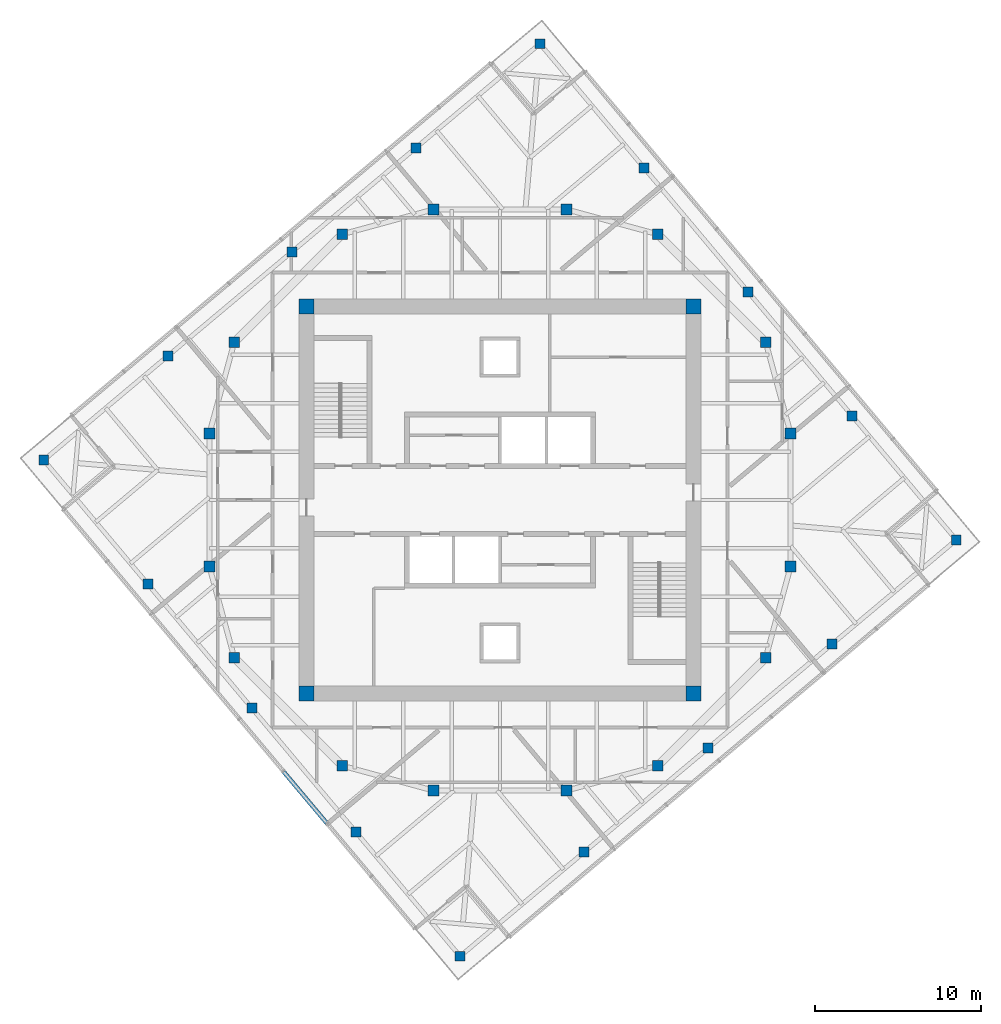
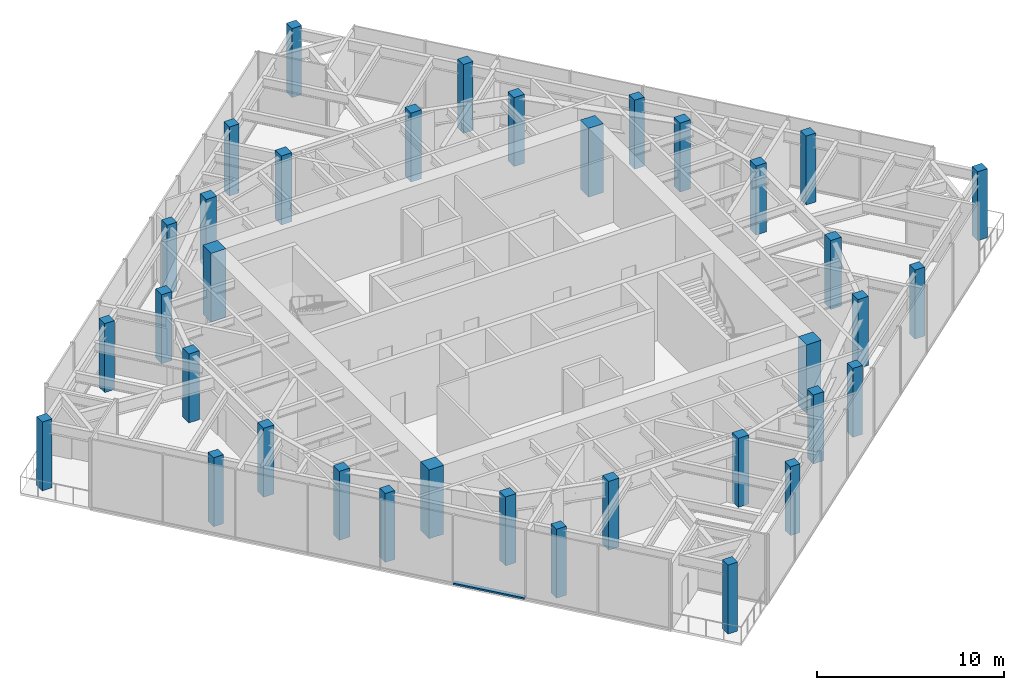
# One storey, part 1 of 11: 36 columns, 1 member, 1 element without a shape of its own.
"""IFC4 building model written with IfcOpenShell, lengths in metres."""

from ifc_helpers import new_model, si_unit, direction, frame, origin, origin_2d, place, context, subcontext, project, spatial, rectangle, extrude, material, material_profile, profile_set, type_object, element, aggregate, save


model = new_model("IFC4")

# Units and contexts
model_context = context("Model", 3, precision=1e-05, world=origin(), true_north=direction((0.0, 1.0)))
body_context = subcontext(model_context, "Body", "Model", "MODEL_VIEW")
ifc_project = project(units=[si_unit("LENGTHUNIT", "METRE"), si_unit("AREAUNIT", "SQUARE_METRE"), si_unit("VOLUMEUNIT", "CUBIC_METRE"), si_unit("PLANEANGLEUNIT", "RADIAN"), si_unit("MASSUNIT", "GRAM", prefix="KILO")], contexts=[model_context])

# Site, building, storey
site_placement = place(None, origin())
site = spatial("IfcSite", under=ifc_project, at=site_placement, CompositionType="ELEMENT")
building_placement = place(site_placement, origin())
building = spatial("IfcBuilding", under=site, at=building_placement, Name="Torsade Residences", CompositionType="ELEMENT")
storey_placement = place(building_placement, frame((0.0, 0.0, 299.800048828125)))
storey = spatial("IfcBuildingStorey", under=building, at=storey_placement, Name="L83", CompositionType="ELEMENT", Elevation=299.800048828125)

# Columns
ifc_material_1 = material(Name="Concrete 80 MPa", Category="concrete")
ifc_material_profile_1 = material_profile(ifc_material_1, rectangle(XDim=0.89990234375, YDim=0.89990234375, at=origin_2d()), Name="RC 900x900")
ifc_profile_set_1 = profile_set([ifc_material_profile_1], Name="Concrete 80 MPa")
column_type_1 = type_object("IfcColumnType", Name="CORE CORNER COLUMN RC 900x900", PredefinedType="COLUMN", material=ifc_profile_set_1)
for number, where, z_axis, x_axis, name in (
    (1, (28.35009765625, 18.35009765625, 0.0), (0.0, 0.0, 1.0), (1.0, 0.0, 0.0), "Core corner column CC1 L83"),
    (2, (51.64990234375, 18.35009765625, 0.0), (0.0, 0.0, 1.0), (1.0, 0.0, 0.0), "Core corner column CC2 L83"),
    (3, (51.64990234375, 41.64990234375, 0.0), (0.0, 0.0, 1.0), (1.0, 0.0, 0.0), "Core corner column CC3 L83"),
    (4, (28.35009765625, 41.64990234375, 0.0), (0.0, 0.0, 1.0), (1.0, 0.0, 0.0), "Core corner column CC4 L83"),
):
    element("IfcColumn", number, at=place(storey_placement, frame(where, z_axis=z_axis, x_axis=x_axis)), inside=storey, type_object=column_type_1, Name=name, PredefinedType="COLUMN", context=body_context, shape_type="SweptSolid", body=[
        extrude(rectangle(XDim=0.89990234375, YDim=0.89990234375, at=origin_2d()), origin(), (0.0, 0.0, 1.0), 4.5),
    ])
ifc_material_2 = material(Name="Concrete 80 MPa", Category="concrete")
ifc_material_profile_2 = material_profile(ifc_material_2, rectangle(XDim=0.64990234375, YDim=0.64990234375, at=origin_2d()), Name="RC 650x650")
ifc_profile_set_2 = profile_set([ifc_material_profile_2], Name="Concrete 80 MPa")
column_type_2 = type_object("IfcColumnType", Name="INNER RING COLUMN RC 650x650", PredefinedType="COLUMN", material=ifc_profile_set_2)
for number, where, z_axis, x_axis, name in (
    (5, (57.5, 26.0, 0.0), (0.0, 0.0, 1.0), (1.0, 0.0, 0.0), "Inner ring column IR01 L83"),
    (6, (57.5, 34.0, 0.0), (0.0, 0.0, 1.0), (1.0, 0.0, 0.0), "Inner ring column IR02 L83"),
    (7, (56.0, 39.5, 0.0), (0.0, 0.0, 1.0), (1.0, 0.0, 0.0), "Inner ring column IR03 L83"),
    (8, (49.5, 46.0, 0.0), (0.0, 0.0, 1.0), (1.0, 0.0, 0.0), "Inner ring column IR04 L83"),
    (9, (44.0, 47.5, 0.0), (0.0, 0.0, 1.0), (1.0, 0.0, 0.0), "Inner ring column IR05 L83"),
    (10, (36.0, 47.5, 0.0), (0.0, 0.0, 1.0), (1.0, 0.0, 0.0), "Inner ring column IR06 L83"),
    (11, (30.5, 46.0, 0.0), (0.0, 0.0, 1.0), (1.0, 0.0, 0.0), "Inner ring column IR07 L83"),
    (12, (24.0, 39.5, 0.0), (0.0, 0.0, 1.0), (1.0, 0.0, 0.0), "Inner ring column IR08 L83"),
    (13, (22.5, 34.0, 0.0), (0.0, 0.0, 1.0), (1.0, 0.0, 0.0), "Inner ring column IR09 L83"),
    (14, (22.5, 26.0, 0.0), (0.0, 0.0, 1.0), (1.0, 0.0, 0.0), "Inner ring column IR10 L83"),
    (15, (24.0, 20.5, 0.0), (0.0, 0.0, 1.0), (1.0, 0.0, 0.0), "Inner ring column IR11 L83"),
    (16, (30.5, 14.0, 0.0), (0.0, 0.0, 1.0), (1.0, 0.0, 0.0), "Inner ring column IR12 L83"),
    (17, (36.0, 12.5, 0.0), (0.0, 0.0, 1.0), (1.0, 0.0, 0.0), "Inner ring column IR13 L83"),
    (18, (44.0, 12.5, 0.0), (0.0, 0.0, 1.0), (1.0, 0.0, 0.0), "Inner ring column IR14 L83"),
    (19, (49.5, 14.0, 0.0), (0.0, 0.0, 1.0), (1.0, 0.0, 0.0), "Inner ring column IR15 L83"),
    (20, (56.0, 20.5, 0.0), (0.0, 0.0, 1.0), (1.0, 0.0, 0.0), "Inner ring column IR16 L83"),
):
    element("IfcColumn", number, at=place(storey_placement, frame(where, z_axis=z_axis, x_axis=x_axis)), inside=storey, type_object=column_type_2, Name=name, PredefinedType="COLUMN", context=body_context, shape_type="SweptSolid", body=[
        extrude(rectangle(XDim=0.64990234375, YDim=0.64990234375, at=origin_2d()), origin(), (0.0, 0.0, 1.0), 4.5),
    ])
ifc_material_3 = material(Name="Concrete 80 MPa", Category="concrete")
ifc_material_profile_3 = material_profile(ifc_material_3, rectangle(XDim=0.60009765625, YDim=0.60009765625, at=origin_2d()), Name="RC 600x600")
ifc_profile_set_3 = profile_set([ifc_material_profile_3], Name="Concrete 80 MPa")
column_type_3 = type_object("IfcColumnType", Name="TOWER COLUMN RC 600x600", PredefinedType="COLUMN", material=ifc_profile_set_3)
for number, where, z_axis, x_axis, name in (
    (21, (37.596435546875, 2.52783203125, 0.0), (0.0, 0.0, 1.0), (1.0, 0.0, 0.0), "Column TC9-01 L83"),
    (22, (45.0654296875, 8.794921875, 0.0), (0.0, 0.0, 1.0), (1.0, 0.0, 0.0), "Column TC9-02 L83"),
    (23, (52.534423828125, 15.06201171875, 0.0), (0.0, 0.0, 1.0), (1.0, 0.0, 0.0), "Column TC9-03 L83"),
    (24, (60.003173828125, 21.329345703125, 0.0), (0.0, 0.0, 1.0), (1.0, 0.0, 0.0), "Column TC9-04 L83"),
    (25, (67.47216796875, 27.596435546875, 0.0), (0.0, 0.0, 1.0), (1.0, 0.0, 0.0), "Column TC9-05 L83"),
    (26, (61.205078125, 35.0654296875, 0.0), (0.0, 0.0, 1.0), (1.0, 0.0, 0.0), "Column TC9-06 L83"),
    (27, (54.93798828125, 42.534423828125, 0.0), (0.0, 0.0, 1.0), (1.0, 0.0, 0.0), "Column TC9-07 L83"),
    (28, (48.670654296875, 50.003173828125, 0.0), (0.0, 0.0, 1.0), (1.0, 0.0, 0.0), "Column TC9-08 L83"),
    (29, (42.403564453125, 57.47216796875, 0.0), (0.0, 0.0, 1.0), (1.0, 0.0, 0.0), "Column TC9-09 L83"),
    (30, (34.9345703125, 51.205078125, 0.0), (0.0, 0.0, 1.0), (1.0, 0.0, 0.0), "Column TC9-10 L83"),
    (31, (27.465576171875, 44.93798828125, 0.0), (0.0, 0.0, 1.0), (1.0, 0.0, 0.0), "Column TC9-11 L83"),
    (32, (19.996826171875, 38.670654296875, 0.0), (0.0, 0.0, 1.0), (1.0, 0.0, 0.0), "Column TC9-12 L83"),
    (33, (12.52783203125, 32.403564453125, 0.0), (0.0, 0.0, 1.0), (1.0, 0.0, 0.0), "Column TC9-13 L83"),
    (34, (18.794921875, 24.9345703125, 0.0), (0.0, 0.0, 1.0), (1.0, 0.0, 0.0), "Column TC9-14 L83"),
    (35, (25.06201171875, 17.465576171875, 0.0), (0.0, 0.0, 1.0), (1.0, 0.0, 0.0), "Column TC9-15 L83"),
    (36, (31.329345703125, 9.996826171875, 0.0), (0.0, 0.0, 1.0), (1.0, 0.0, 0.0), "Column TC9-16 L83"),
):
    element("IfcColumn", number, at=place(storey_placement, frame(where, z_axis=z_axis, x_axis=x_axis)), inside=storey, type_object=column_type_3, Name=name, PredefinedType="COLUMN", context=body_context, shape_type="SweptSolid", body=[
        extrude(rectangle(XDim=0.60009765625, YDim=0.60009765625, at=origin_2d()), origin(), (0.0, 0.0, 1.0), 4.5),
    ])

# Curtain wall, member
ifc_material_4 = material(Name="Aluminium and glass", Category="aluminium")
curtain_wall_type = type_object("IfcCurtainWallType", Name="PLANT LEVEL LOUVRED CURTAIN WALL", PredefinedType="NOTDEFINED", material=ifc_material_4)
curtain_wall_placement = place(storey_placement, origin())
curtain_wall = element("IfcCurtainWall", 37, at=curtain_wall_placement, inside=storey, type_object=curtain_wall_type, Name="Curtain wall L83 face 10", PredefinedType="NOTDEFINED")
ifc_material_5 = material(Name="Aluminium transom", Category="aluminium")
ifc_material_profile_4 = material_profile(ifc_material_5, rectangle(XDim=0.25, YDim=0.110107421875, at=origin_2d()), Name="LOUVRE WALL TRANSOM 250x110")
ifc_profile_set_4 = profile_set([ifc_material_profile_4], Name="Aluminium transom")
member_type = type_object("IfcMemberType", Name="LOUVRE WALL TRANSOM 250x110", PredefinedType="USERDEFINED", material=ifc_profile_set_4)
member_placement = place(storey_placement, frame((26.973388671875, 13.63232421875, 0.054931640625), z_axis=(0.642792833221, -0.766040060023, 0.0), x_axis=(0.766040060023, 0.642792833221, 0.0)))
member = element("IfcMember", 38, at=member_placement, type_object=member_type, Name="Transom 6.1", ObjectType="TRANSOM", PredefinedType="USERDEFINED", context=body_context, shape_type="SweptSolid", body=[
    extrude(rectangle(XDim=0.25, YDim=0.110107421875, at=origin_2d()), origin(), (0.0, 0.0, 1.0), 4.044921875),
])
aggregate(curtain_wall, [member])

save(model, "model.ifc")
